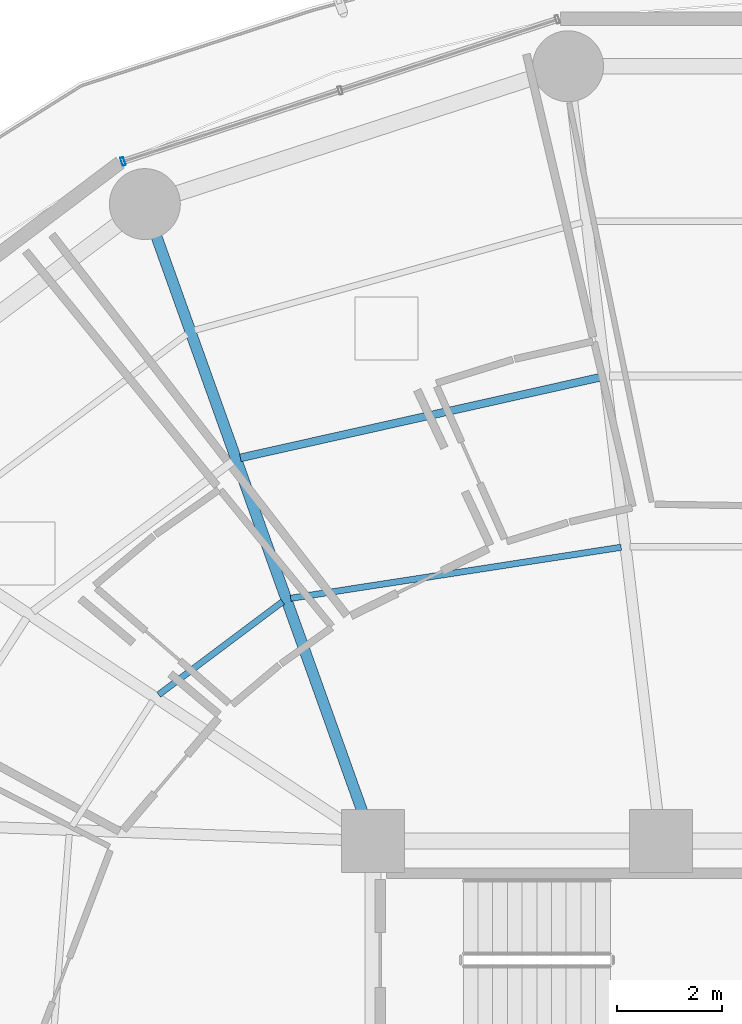
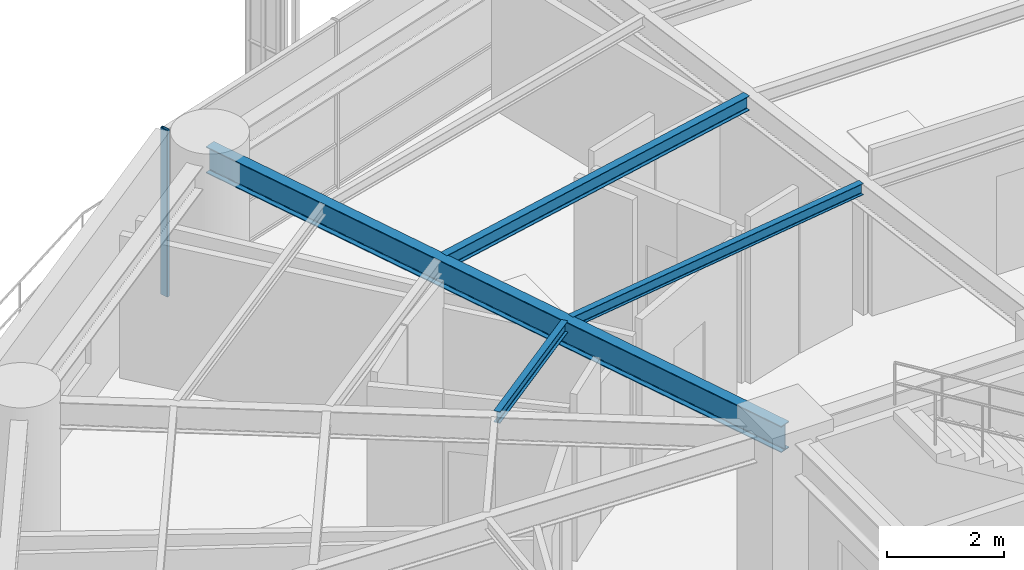
# One storey, part 20 of 38: 4 beams, 1 member, 1 element without a shape of its own.
"""IFC4 building model written with IfcOpenShell, lengths in metres."""

from ifc_helpers import new_model, si_unit, direction, frame, origin, origin_2d, place, context, subcontext, project, spatial, hollow_rectangle, i_section, extrude, material, layer, layer_set, material_profile, profile_set, type_object, element, aggregate, save


model = new_model("IFC4")

# Units and contexts
model_context = context("Model", 3, precision=1e-05, world=origin(), true_north=direction((0.0, 1.0)))
body_context = subcontext(model_context, "Body", "Model", "MODEL_VIEW")
ifc_project = project(units=[si_unit("LENGTHUNIT", "METRE"), si_unit("AREAUNIT", "SQUARE_METRE"), si_unit("VOLUMEUNIT", "CUBIC_METRE"), si_unit("PLANEANGLEUNIT", "RADIAN"), si_unit("MASSUNIT", "GRAM", prefix="KILO")], contexts=[model_context])

# Site, building, storey
site_placement = place(None, origin())
site = spatial("IfcSite", under=ifc_project, at=site_placement, CompositionType="ELEMENT")
building_placement = place(site_placement, origin())
building = spatial("IfcBuilding", under=site, at=building_placement, Name="Kelanora Arch Commons", CompositionType="ELEMENT")
storey_placement = place(building_placement, frame((0.0, 0.0, 106.35009765625)))
storey = spatial("IfcBuildingStorey", under=building, at=storey_placement, Name="L27", CompositionType="ELEMENT", Elevation=106.35009765625)

# Beams
ifc_material_1 = material(Name="Steel S355", Category="steel")
ifc_material_profile_1 = material_profile(ifc_material_1, i_section(OverallWidth=0.14990234375, OverallDepth=0.300048828125, WebThickness=0.007080078125, FlangeThickness=0.0107421875, FilletRadius=0.014892578125, at=origin_2d()), Name="IPE300")
ifc_profile_set_1 = profile_set([ifc_material_profile_1], Name="Steel S355")
beam_type_1 = type_object("IfcBeamType", Name="BM-JST-01", PredefinedType="JOIST", material=ifc_profile_set_1)
beam_1_placement = place(storey_placement, frame((70.337646484375, 73.828125, 3.33984375), z_axis=(-0.975817048791, -0.218588854449, 0.0), x_axis=(0.218588854449, -0.975817048791, 0.0)))
element("IfcBeam", 1, at=beam_1_placement, inside=storey, type_object=beam_type_1, Name="Secondary Chord Joist BJB-10 L27", PredefinedType="JOIST", context=body_context, shape_type="SweptSolid", body=[
    extrude(i_section(OverallWidth=0.14990234375, OverallDepth=0.300048828125, WebThickness=0.007080078125, FlangeThickness=0.0107421875, FilletRadius=0.014892578125, at=origin_2d()), origin(), (0.0, 0.0, 1.0), 7.028564453125),
])
ifc_material_profile_2 = material_profile(ifc_material_1, i_section(OverallWidth=0.1201171875, OverallDepth=0.239990234375, WebThickness=0.006103515625, FlangeThickness=0.009765625, FilletRadius=0.014892578125, at=origin_2d()), Name="IPE240")
ifc_profile_set_2 = profile_set([ifc_material_profile_2], Name="Steel S355")
beam_type_2 = type_object("IfcBeamType", Name="BM-JST-02", PredefinedType="JOIST", material=ifc_profile_set_2)
beam_2_placement = place(storey_placement, frame((70.72509765625, 70.590087890625, 3.369873046875), z_axis=(-0.988295745497, -0.152550055496, 0.0), x_axis=(0.152550055496, -0.988295745497, 0.0)))
element("IfcBeam", 2, at=beam_2_placement, inside=storey, type_object=beam_type_2, Name="Secondary Chord Joist BJA-10 L27", PredefinedType="JOIST", context=body_context, shape_type="SweptSolid", body=[
    extrude(i_section(OverallWidth=0.1201171875, OverallDepth=0.239990234375, WebThickness=0.006103515625, FlangeThickness=0.009765625, FilletRadius=0.014892578125, at=origin_2d()), origin(), (0.0, 0.0, 1.0), 6.36474609375),
])
beam_3_placement = place(storey_placement, frame((64.28271484375, 69.555419921875, 3.369873046875), z_axis=(-0.799692034361, -0.600410401458, 0.0), x_axis=(0.600410401458, -0.799692034361, 0.0)))
element("IfcBeam", 3, at=beam_3_placement, inside=storey, type_object=beam_type_2, Name="Secondary Chord Joist BJA-12 L27", PredefinedType="JOIST", context=body_context, shape_type="SweptSolid", body=[
    extrude(i_section(OverallWidth=0.1201171875, OverallDepth=0.239990234375, WebThickness=0.006103515625, FlangeThickness=0.009765625, FilletRadius=0.014892578125, at=origin_2d()), origin(), (0.0, 0.0, 1.0), 2.949951171875),
])
ifc_material_profile_3 = material_profile(ifc_material_1, i_section(OverallWidth=0.2099609375, OverallDepth=0.550048828125, WebThickness=0.010986328125, FlangeThickness=0.01708984375, FilletRadius=0.02392578125, at=origin_2d()), Name="IPE550")
ifc_profile_set_3 = profile_set([ifc_material_profile_3], Name="Steel S355")
beam_type_3 = type_object("IfcBeamType", Name="BM-RAD-Z2", PredefinedType="BEAM", material=ifc_profile_set_3)
beam_4_placement = place(storey_placement, frame((66.0, 65.0, 3.21484375), z_axis=(-0.337084640008, 0.941474346687, 0.0), x_axis=(-0.941474346687, -0.337084640008, 0.0)))
element("IfcBeam", 4, at=beam_4_placement, inside=storey, type_object=beam_type_3, Name="Radial Floor Girder BR-12 L27", PredefinedType="BEAM", context=body_context, shape_type="SweptSolid", body=[
    extrude(i_section(OverallWidth=0.2099609375, OverallDepth=0.550048828125, WebThickness=0.010986328125, FlangeThickness=0.01708984375, FilletRadius=0.02392578125, at=origin_2d()), origin(), (0.0, 0.0, 1.0), 12.875244140625),
])

# Curtain wall, member
ifc_material_2 = material(Name="Terracotta ceramic-fritted low-E glass and aluminium", Category="masonry")
ifc_layer = layer(ifc_material_2, 0.159912109375)
ifc_layer_set = layer_set([ifc_layer], Name="Terracotta ceramic-fritted low-E glass and aluminium")
curtain_wall_type = type_object("IfcCurtainWallType", Name="CW-SYS-01", PredefinedType="NOTDEFINED", material=ifc_layer_set)
curtain_wall_placement = place(storey_placement, origin())
curtain_wall = element("IfcCurtainWall", 5, at=curtain_wall_placement, inside=storey, type_object=curtain_wall_type, Name="Unitised Curtain Wall L27-B05", PredefinedType="NOTDEFINED")
ifc_material_3 = material(Name="Powder-coated aluminium terracotta", Category="masonry")
ifc_material_profile_4 = material_profile(ifc_material_3, hollow_rectangle(XDim=0.159912109375, YDim=0.06005859375, WallThickness=0.0048828125, InnerFilletRadius=0.0048828125, OuterFilletRadius=0.010009765625, at=origin_2d()), Name="CWM160x60")
ifc_profile_set_4 = profile_set([ifc_material_profile_4], Name="Powder-coated aluminium terracotta")
member_type = type_object("IfcMemberType", Name="CWM-STD", PredefinedType="MULLION", material=ifc_profile_set_4)
member_placement = place(storey_placement, frame((61.242919921875, 77.9326171875, 0.0), z_axis=(0.0, 0.0, 1.0), x_axis=(0.31080470294, -0.950473795867, 0.0)))
member = element("IfcMember", 6, at=member_placement, type_object=member_type, Name="CW-01 mullion 3", PredefinedType="MULLION", context=body_context, shape_type="SweptSolid", body=[
    extrude(hollow_rectangle(XDim=0.159912109375, YDim=0.06005859375, WallThickness=0.0048828125, InnerFilletRadius=0.0048828125, OuterFilletRadius=0.010009765625, at=origin_2d()), origin(), (0.0, 0.0, 1.0), 3.474853515625),
])
aggregate(curtain_wall, [member])

save(model, "model.ifc")
